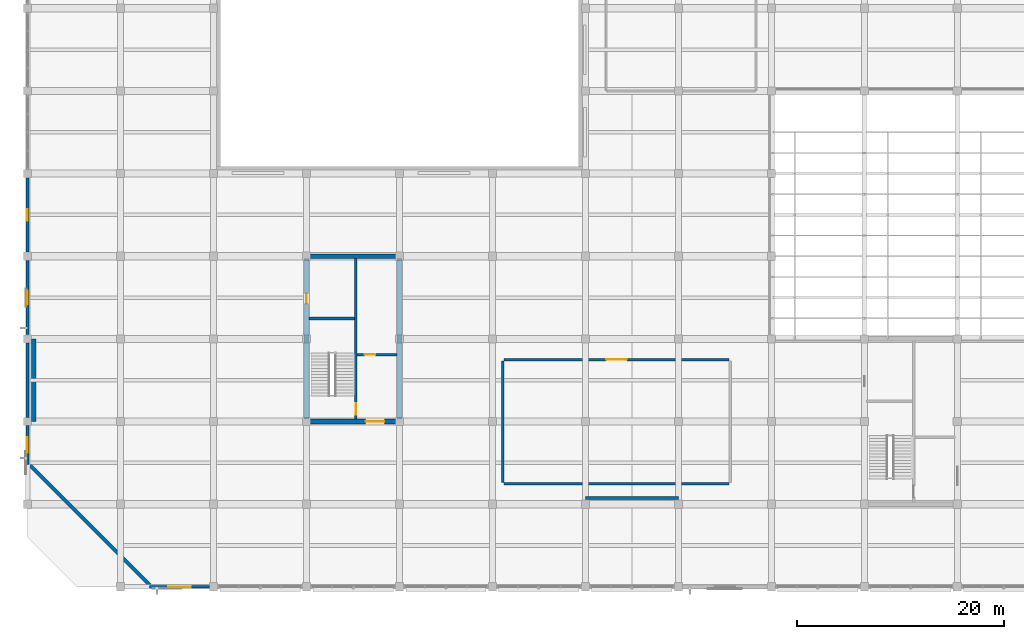
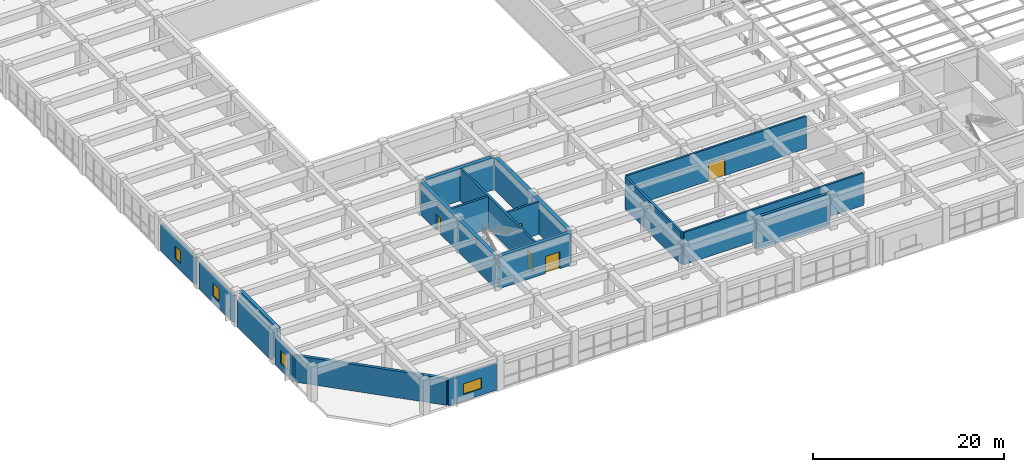
# One storey, part 25 of 50: 18 walls, 5 doors, 4 windows, 9 openings.
"""IFC4 building model written with IfcOpenShell, lengths in metres."""

from ifc_helpers import new_model, si_unit, direction, frame, frame_2d, origin, place, context, subcontext, project, spatial, rectangle, extrude, material, layer, layer_set, type_object, element, fill, save


model = new_model("IFC4")

# Units and contexts
model_context = context("Model", 3, precision=1e-05, world=origin(), true_north=direction((0.0, 1.0)))
body_context = subcontext(model_context, "Body", "Model", "MODEL_VIEW")
ifc_project = project(units=[si_unit("LENGTHUNIT", "METRE"), si_unit("AREAUNIT", "SQUARE_METRE"), si_unit("VOLUMEUNIT", "CUBIC_METRE"), si_unit("PLANEANGLEUNIT", "RADIAN"), si_unit("MASSUNIT", "GRAM", prefix="KILO")], contexts=[model_context])

# Site, building, storey
site_placement = place(None, origin())
site = spatial("IfcSite", under=ifc_project, at=site_placement, CompositionType="ELEMENT")
building_placement = place(site_placement, origin())
building = spatial("IfcBuilding", under=site, at=building_placement, Name="Zaverband Oceanarium and Marine Research Institute", CompositionType="ELEMENT")
storey_placement = place(building_placement, frame((0.0, 0.0, 9.0)))
storey = spatial("IfcBuildingStorey", under=building, at=storey_placement, Name="L02", CompositionType="ELEMENT", Elevation=9.0)

# Wall, opening, door
ifc_material_1 = material(Name="Concrete C50/60", Category="concrete")
ifc_layer_1 = layer(ifc_material_1, 0.449951171875, Name="Concrete C50/60")
ifc_layer_set_1 = layer_set([ifc_layer_1], Name="Concrete C50/60")
wall_type_1 = type_object("IfcWallType", Name="CW-02", PredefinedType="SHEAR", material=ifc_layer_set_1)
wall_1_placement = place(storey_placement, frame((27.22509765625, 16.0, 0.0), z_axis=(0.0, 0.0, 1.0), x_axis=(1.0, 0.0, 0.0)))
wall_1 = element("IfcWall", 1, at=wall_1_placement, inside=storey, type_object=wall_type_1, Name="Structural shear wall CW-02", PredefinedType="SHEAR", context=body_context, shape_type="SweptSolid", body=[
    extrude(rectangle(XDim=8.5498046875, YDim=0.449951171875, at=frame_2d((4.27490234375, 0.0))), origin(), (0.0, 0.0, 1.0), 4.139892578125),
])
opening_1_placement = place(wall_1_placement, frame((5.5, 0.0, 0.0)))
opening_1 = element("IfcOpeningElement", 2, at=opening_1_placement, cuts=wall_1, Name="Opening FD-02", PredefinedType="OPENING", context=body_context, shape_type="SweptSolid", body=[
    extrude(rectangle(XDim=1.800048828125, YDim=2.179931640625, at=frame_2d((0.89990234375, 1.08984375))), frame((0.0, 0.23681640625, 0.0), z_axis=(0.0, -1.0, 0.0), x_axis=(1.0, 0.0, 0.0)), (0.0, 0.0, 1.0), 0.473876953125),
])
ifc_material_2 = material(Name="Steel S355", Category="steel")
door_type_1 = type_object("IfcDoorType", Name="FD-02", OperationType="DOUBLE_DOOR_SINGLE_SWING", PredefinedType="DOOR", material=ifc_material_2)
door_1_placement = place(opening_1_placement, origin())
door_1 = element("IfcDoor", 3, at=door_1_placement, inside=storey, type_object=door_type_1, Name="Protected lobby double fire door FD-02", OperationType="DOUBLE_DOOR_SINGLE_SWING", OverallHeight=2.179931640625, OverallWidth=1.800048828125, PredefinedType="DOOR", context=body_context, shape_type="SweptSolid", body=[
    extrude(rectangle(XDim=1.800048828125, YDim=2.179931640625, at=frame_2d((0.89990234375, 1.08984375))), frame((0.0, 0.02490234375, 0.0), z_axis=(0.0, -1.0, 0.0), x_axis=(1.0, 0.0, 0.0)), (0.0, 0.0, 1.0), 0.050048828125),
])
fill(opening_1, door_1)

# Wall
wall_2_placement = place(storey_placement, frame((27.22509765625, 32.0, 0.0), z_axis=(0.0, 0.0, 1.0), x_axis=(1.0, 0.0, 0.0)))
element("IfcWall", 4, at=wall_2_placement, inside=storey, type_object=wall_type_1, Name="Structural shear wall CW-02", PredefinedType="SHEAR", context=body_context, shape_type="SweptSolid", body=[
    extrude(rectangle(XDim=8.5498046875, YDim=0.449951171875, at=frame_2d((4.27490234375, 0.0))), origin(), (0.0, 0.0, 1.0), 4.139892578125),
])

# Wall, opening, door
wall_3_placement = place(storey_placement, frame((27.0, 16.22509765625, 0.0), z_axis=(0.0, 0.0, 1.0), x_axis=(0.0, 1.0, 0.0)))
wall_3 = element("IfcWall", 5, at=wall_3_placement, inside=storey, type_object=wall_type_1, Name="Structural shear wall CW-02", PredefinedType="SHEAR", context=body_context, shape_type="SweptSolid", body=[
    extrude(rectangle(XDim=15.5498046875, YDim=0.449951171875, at=frame_2d((7.77490234375, 0.0))), origin(), (0.0, 0.0, 1.0), 4.139892578125),
])
opening_2_placement = place(wall_3_placement, frame((11.199951171875, 0.0, 0.0)))
opening_2 = element("IfcOpeningElement", 6, at=opening_2_placement, cuts=wall_3, Name="Opening FD-03", PredefinedType="OPENING", context=body_context, shape_type="SweptSolid", body=[
    extrude(rectangle(XDim=0.949951171875, YDim=2.10009765625, at=frame_2d((0.47509765625, 1.050048828125))), frame((0.0, 0.23681640625, 0.0), z_axis=(0.0, -1.0, 0.0), x_axis=(1.0, 0.0, 0.0)), (0.0, 0.0, 1.0), 0.473876953125),
])
door_type_2 = type_object("IfcDoorType", Name="FD-03", OperationType="NOTDEFINED", PredefinedType="DOOR", material=ifc_material_2)
door_2_placement = place(opening_2_placement, origin())
door_2 = element("IfcDoor", 7, at=door_2_placement, inside=storey, type_object=door_type_2, Name="Service riser access fire door FD-03", OperationType="SINGLE_SWING_RIGHT", OverallHeight=2.10009765625, OverallWidth=0.949951171875, PredefinedType="DOOR", context=body_context, shape_type="SweptSolid", body=[
    extrude(rectangle(XDim=0.949951171875, YDim=2.10009765625, at=frame_2d((0.47509765625, 1.050048828125))), frame((0.0, 0.02490234375, 0.0), z_axis=(0.0, -1.0, 0.0), x_axis=(1.0, 0.0, 0.0)), (0.0, 0.0, 1.0), 0.050048828125),
])
fill(opening_2, door_2)

# Wall
wall_4_placement = place(storey_placement, frame((36.0, 16.22509765625, 0.0), z_axis=(0.0, 0.0, 1.0), x_axis=(0.0, 1.0, 0.0)))
element("IfcWall", 8, at=wall_4_placement, inside=storey, type_object=wall_type_1, Name="Structural shear wall CW-02", PredefinedType="SHEAR", context=body_context, shape_type="SweptSolid", body=[
    extrude(rectangle(XDim=15.5498046875, YDim=0.449951171875, at=frame_2d((7.77490234375, 0.0))), origin(), (0.0, 0.0, 1.0), 4.139892578125),
])

# Wall, opening, window
ifc_material_3 = material(Name="Concrete C40/50 precast", Category="concrete")
ifc_layer_2 = layer(ifc_material_3, 0.264892578125, Name="Concrete C40/50 precast")
ifc_layer_set_2 = layer_set([ifc_layer_2], Name="Concrete C40/50 precast")
wall_type_2 = type_object("IfcWallType", Name="EW-265", PredefinedType="STANDARD", material=ifc_layer_set_2)
wall_5_placement = place(storey_placement, frame((11.820068359375, 0.0, 0.0), z_axis=(0.0, 0.0, 1.0), x_axis=(1.0, 0.0, 0.0)))
wall_5 = element("IfcWall", 9, at=wall_5_placement, inside=storey, type_object=wall_type_2, Name="Exterior infill wall EW-265", PredefinedType="STANDARD", context=body_context, shape_type="SweptSolid", body=[
    extrude(rectangle(XDim=5.77490234375, YDim=0.264892578125, at=frame_2d((2.887451171875, 0.0))), origin(), (0.0, 0.0, 1.0), 3.419921875),
])
opening_3_placement = place(wall_5_placement, frame((1.78759765625, 0.0, 0.85009765625)))
opening_3 = element("IfcOpeningElement", 10, at=opening_3_placement, cuts=wall_5, Name="Opening WN-2200x1350", PredefinedType="OPENING", context=body_context, shape_type="SweptSolid", body=[
    extrude(rectangle(XDim=2.199951171875, YDim=1.35009765625, at=frame_2d((1.10009765625, 0.675048828125))), frame((0.0, 0.14453125, 0.0), z_axis=(0.0, -1.0, 0.0), x_axis=(1.0, 0.0, 0.0)), (0.0, 0.0, 1.0), 0.288818359375),
])
ifc_material_4 = material(Name="Thermally broken anodized aluminium and solar-control glass", Category="aluminium")
window_type_1 = type_object("IfcWindowType", Name="WN-2200x1350", PartitioningType="SINGLE_PANEL", PredefinedType="WINDOW", material=ifc_material_4)
window_1_placement = place(opening_3_placement, origin())
window_1 = element("IfcWindow", 11, at=window_1_placement, inside=storey, type_object=window_type_1, Name="Fixed / casement exterior window WN-2200x1350", OverallHeight=1.35009765625, OverallWidth=2.199951171875, PartitioningType="SINGLE_PANEL", PredefinedType="WINDOW", context=body_context, shape_type="SweptSolid", body=[
    extrude(rectangle(XDim=2.199951171875, YDim=1.35009765625, at=frame_2d((1.10009765625, 0.675048828125))), frame((0.0, 0.030029296875, 0.0), z_axis=(0.0, -1.0, 0.0), x_axis=(1.0, 0.0, 0.0)), (0.0, 0.0, 1.0), 0.06005859375),
])
fill(opening_3, window_1)

wall_6_placement = place(storey_placement, frame((0.0, 24.405029296875, 0.0), z_axis=(0.0, 0.0, 1.0), x_axis=(0.0, 1.0, 0.0)))
wall_6 = element("IfcWall", 12, at=wall_6_placement, inside=storey, type_object=wall_type_2, Name="Exterior infill wall EW-265", PredefinedType="STANDARD", context=body_context, shape_type="SweptSolid", body=[
    extrude(rectangle(XDim=7.18994140625, YDim=0.264892578125, at=frame_2d((3.594970703125, 0.0))), origin(), (0.0, 0.0, 1.0), 3.419921875),
])
opening_4_placement = place(wall_6_placement, frame((2.945068359375, 0.0, 0.85009765625)))
opening_4 = element("IfcOpeningElement", 13, at=opening_4_placement, cuts=wall_6, Name="Opening WN-1300x1650", PredefinedType="OPENING", context=body_context, shape_type="SweptSolid", body=[
    extrude(rectangle(XDim=1.300048828125, YDim=1.64990234375, at=frame_2d((0.64990234375, 0.824951171875))), frame((0.0, 0.14453125, 0.0), z_axis=(0.0, -1.0, 0.0), x_axis=(1.0, 0.0, 0.0)), (0.0, 0.0, 1.0), 0.288818359375),
])
window_type_2 = type_object("IfcWindowType", Name="WN-1300x1650", PartitioningType="SINGLE_PANEL", PredefinedType="WINDOW", material=ifc_material_4)
window_2_placement = place(opening_4_placement, origin())
window_2 = element("IfcWindow", 14, at=window_2_placement, inside=storey, type_object=window_type_2, Name="Fixed / casement exterior window WN-1300x1650", OverallHeight=1.64990234375, OverallWidth=1.300048828125, PartitioningType="SINGLE_PANEL", PredefinedType="WINDOW", context=body_context, shape_type="SweptSolid", body=[
    extrude(rectangle(XDim=1.300048828125, YDim=1.64990234375, at=frame_2d((0.64990234375, 0.824951171875))), frame((0.0, 0.030029296875, 0.0), z_axis=(0.0, -1.0, 0.0), x_axis=(1.0, 0.0, 0.0)), (0.0, 0.0, 1.0), 0.06005859375),
])
fill(opening_4, window_2)

# Wall
ifc_layer_3 = layer(ifc_material_3, 0.2900390625, Name="Concrete C40/50 precast")
ifc_layer_set_3 = layer_set([ifc_layer_3], Name="Concrete C40/50 precast")
wall_type_3 = type_object("IfcWallType", Name="EW-290", PredefinedType="STANDARD", material=ifc_layer_set_3)
wall_7_placement = place(storey_placement, frame((0.0, 16.405029296875, 0.0), z_axis=(0.0, 0.0, 1.0), x_axis=(0.0, 1.0, 0.0)))
element("IfcWall", 15, at=wall_7_placement, inside=storey, type_object=wall_type_3, Name="Exterior infill wall EW-290", PredefinedType="STANDARD", context=body_context, shape_type="SweptSolid", body=[
    extrude(rectangle(XDim=7.18994140625, YDim=0.2900390625, at=frame_2d((3.594970703125, 0.0))), origin(), (0.0, 0.0, 1.0), 3.419921875),
])

# Wall, opening, window
ifc_layer_4 = layer(ifc_material_3, 0.31005859375, Name="Concrete C40/50 precast")
ifc_layer_set_4 = layer_set([ifc_layer_4], Name="Concrete C40/50 precast")
wall_type_4 = type_object("IfcWallType", Name="EW-310", PredefinedType="STANDARD", material=ifc_layer_set_4)
wall_8_placement = place(storey_placement, frame((0.0, 11.820068359375, 0.0), z_axis=(0.0, 0.0, 1.0), x_axis=(0.0, 1.0, 0.0)))
wall_8 = element("IfcWall", 16, at=wall_8_placement, inside=storey, type_object=wall_type_4, Name="Exterior infill wall EW-310", PredefinedType="STANDARD", context=body_context, shape_type="SweptSolid", body=[
    extrude(rectangle(XDim=3.77490234375, YDim=0.31005859375, at=frame_2d((1.887451171875, 0.0))), origin(), (0.0, 0.0, 1.0), 3.419921875),
])
opening_5_placement = place(wall_8_placement, frame((1.137451171875, 0.0, 0.85009765625)))
opening_5 = element("IfcOpeningElement", 17, at=opening_5_placement, cuts=wall_8, Name="Opening WN-1500x1650", PredefinedType="OPENING", context=body_context, shape_type="SweptSolid", body=[
    extrude(rectangle(XDim=1.5, YDim=1.64990234375, at=frame_2d((0.75, 0.824951171875))), frame((0.0, 0.1669921875, 0.0), z_axis=(0.0, -1.0, 0.0), x_axis=(1.0, 0.0, 0.0)), (0.0, 0.0, 1.0), 0.333984375),
])
window_type_3 = type_object("IfcWindowType", Name="WN-1500x1650", PartitioningType="SINGLE_PANEL", PredefinedType="WINDOW", material=ifc_material_4)
window_3_placement = place(opening_5_placement, origin())
window_3 = element("IfcWindow", 18, at=window_3_placement, inside=storey, type_object=window_type_3, Name="Fixed / casement exterior window WN-1500x1650", OverallHeight=1.64990234375, OverallWidth=1.5, PartitioningType="SINGLE_PANEL", PredefinedType="WINDOW", context=body_context, shape_type="SweptSolid", body=[
    extrude(rectangle(XDim=1.5, YDim=1.64990234375, at=frame_2d((0.75, 0.824951171875))), frame((0.0, 0.030029296875, 0.0), z_axis=(0.0, -1.0, 0.0), x_axis=(1.0, 0.0, 0.0)), (0.0, 0.0, 1.0), 0.06005859375),
])
fill(opening_5, window_3)

wall_9_placement = place(storey_placement, frame((0.0, 32.405029296875, 0.0), z_axis=(0.0, 0.0, 1.0), x_axis=(0.0, 1.0, 0.0)))
wall_9 = element("IfcWall", 19, at=wall_9_placement, inside=storey, type_object=wall_type_4, Name="Exterior infill wall EW-310", PredefinedType="STANDARD", context=body_context, shape_type="SweptSolid", body=[
    extrude(rectangle(XDim=7.18994140625, YDim=0.31005859375, at=frame_2d((3.594970703125, 0.0))), origin(), (0.0, 0.0, 1.0), 3.419921875),
])
opening_6_placement = place(wall_9_placement, frame((3.044921875, 0.0, 0.85009765625)))
opening_6 = element("IfcOpeningElement", 20, at=opening_6_placement, cuts=wall_9, Name="Opening WN-1100x1650", PredefinedType="OPENING", context=body_context, shape_type="SweptSolid", body=[
    extrude(rectangle(XDim=1.10009765625, YDim=1.64990234375, at=frame_2d((0.550048828125, 0.824951171875))), frame((0.0, 0.1669921875, 0.0), z_axis=(0.0, -1.0, 0.0), x_axis=(1.0, 0.0, 0.0)), (0.0, 0.0, 1.0), 0.333984375),
])
window_type_4 = type_object("IfcWindowType", Name="WN-1100x1650", PartitioningType="SINGLE_PANEL", PredefinedType="WINDOW", material=ifc_material_4)
window_4_placement = place(opening_6_placement, origin())
window_4 = element("IfcWindow", 21, at=window_4_placement, inside=storey, type_object=window_type_4, Name="Fixed / casement exterior window WN-1100x1650", OverallHeight=1.64990234375, OverallWidth=1.10009765625, PartitioningType="SINGLE_PANEL", PredefinedType="WINDOW", context=body_context, shape_type="SweptSolid", body=[
    extrude(rectangle(XDim=1.10009765625, YDim=1.64990234375, at=frame_2d((0.550048828125, 0.824951171875))), frame((0.0, 0.030029296875, 0.0), z_axis=(0.0, -1.0, 0.0), x_axis=(1.0, 0.0, 0.0)), (0.0, 0.0, 1.0), 0.06005859375),
])
fill(opening_6, window_4)

# Walls
ifc_layer_5 = layer(ifc_material_3, 0.340087890625, Name="Concrete C40/50 precast")
ifc_layer_set_5 = layer_set([ifc_layer_5], Name="Concrete C40/50 precast")
wall_type_5 = type_object("IfcWallType", Name="EW-340", PredefinedType="STANDARD", material=ifc_layer_set_5)
wall_10_placement = place(storey_placement, frame((0.179931640625, 11.820068359375, 0.0), z_axis=(0.0, 0.0, 1.0), x_axis=(0.707106781187, -0.707106781187, 0.0)))
element("IfcWall", 22, at=wall_10_placement, inside=storey, type_object=wall_type_5, Name="Exterior infill wall EW-340", PredefinedType="STANDARD", context=body_context, shape_type="SweptSolid", body=[
    extrude(rectangle(XDim=16.461669921875, YDim=0.340087890625, at=frame_2d((8.23095703125, 0.0))), origin(), (0.0, 0.0, 1.0), 3.419921875),
])
ifc_material_5 = material(Name="Masonry concrete blockwork", Category="masonry")
ifc_layer_6 = layer(ifc_material_5, 0.239990234375, Name="Masonry concrete blockwork")
ifc_layer_set_6 = layer_set([ifc_layer_6], Name="Masonry concrete blockwork")
wall_type_6 = type_object("IfcWallType", Name="PT-240-AC", PredefinedType="PARTITIONING", material=ifc_layer_set_6)
wall_11_placement = place(storey_placement, frame((46.1201171875, 10.0, 0.0), z_axis=(0.0, 0.0, 1.0), x_axis=(1.0, 0.0, 0.0)))
element("IfcWall", 23, at=wall_11_placement, inside=storey, type_object=wall_type_6, Name="Acoustic partition PT-240-AC", PredefinedType="PARTITIONING", context=body_context, shape_type="SweptSolid", body=[
    extrude(rectangle(XDim=21.759765625, YDim=0.239990234375, at=frame_2d((10.8798828125, 0.0))), origin(), (0.0, 0.0, 1.0), 4.139892578125),
])

# Wall, opening, door
wall_12_placement = place(storey_placement, frame((46.1201171875, 22.0, 0.0), z_axis=(0.0, 0.0, 1.0), x_axis=(1.0, 0.0, 0.0)))
wall_12 = element("IfcWall", 24, at=wall_12_placement, inside=storey, type_object=wall_type_6, Name="Acoustic partition PT-240-AC", PredefinedType="PARTITIONING", context=body_context, shape_type="SweptSolid", body=[
    extrude(rectangle(XDim=21.759765625, YDim=0.239990234375, at=frame_2d((10.8798828125, 0.0))), origin(), (0.0, 0.0, 1.0), 4.139892578125),
])
opening_7_placement = place(wall_12_placement, frame((9.8798828125, 0.0, 0.0)))
opening_7 = element("IfcOpeningElement", 25, at=opening_7_placement, cuts=wall_12, Name="Opening ID-2000x2180", PredefinedType="OPENING", context=body_context, shape_type="SweptSolid", body=[
    extrude(rectangle(XDim=2.0, YDim=2.179931640625, at=frame_2d((1.0, 1.08984375))), frame((0.0, 0.1318359375, 0.0), z_axis=(0.0, -1.0, 0.0), x_axis=(1.0, 0.0, 0.0)), (0.0, 0.0, 1.0), 0.263916015625),
])
ifc_material_6 = material(Name="Hardwood-veneered acoustic timber", Category="wood")
door_type_3 = type_object("IfcDoorType", Name="ID-2000x2180", OperationType="DOUBLE_DOOR_SINGLE_SWING", PredefinedType="DOOR", material=ifc_material_6)
door_3_placement = place(opening_7_placement, origin())
door_3 = element("IfcDoor", 26, at=door_3_placement, inside=storey, type_object=door_type_3, Name="Auditorium acoustic double door ID-2000x2180", OperationType="DOUBLE_DOOR_SINGLE_SWING", OverallHeight=2.179931640625, OverallWidth=2.0, PredefinedType="DOOR", context=body_context, shape_type="SweptSolid", body=[
    extrude(rectangle(XDim=2.0, YDim=2.179931640625, at=frame_2d((1.0, 1.08984375))), frame((0.0, 0.02490234375, 0.0), z_axis=(0.0, -1.0, 0.0), x_axis=(1.0, 0.0, 0.0)), (0.0, 0.0, 1.0), 0.050048828125),
])
fill(opening_7, door_3)

# Wall
wall_13_placement = place(storey_placement, frame((46.0, 10.1201171875, 0.0), z_axis=(0.0, 0.0, 1.0), x_axis=(0.0, 1.0, 0.0)))
element("IfcWall", 27, at=wall_13_placement, inside=storey, type_object=wall_type_6, Name="Acoustic partition PT-240-AC", PredefinedType="PARTITIONING", context=body_context, shape_type="SweptSolid", body=[
    extrude(rectangle(XDim=11.759765625, YDim=0.239990234375, at=frame_2d((5.8798828125, 0.0))), origin(), (0.0, 0.0, 1.0), 4.139892578125),
])

# Wall, opening, door
ifc_layer_7 = layer(ifc_material_1, 0.25, Name="Concrete C50/60")
ifc_layer_set_7 = layer_set([ifc_layer_7], Name="Concrete C50/60")
wall_type_7 = type_object("IfcWallType", Name="PW-CORE-250", PredefinedType="SOLIDWALL", material=ifc_layer_set_7)
wall_14_placement = place(storey_placement, frame((31.77490234375, 16.22509765625, 0.0), z_axis=(0.0, 0.0, 1.0), x_axis=(0.0, 1.0, 0.0)))
wall_14 = element("IfcWall", 28, at=wall_14_placement, inside=storey, type_object=wall_type_7, Name="Structural concrete wall PW-CORE-250", PredefinedType="SOLIDWALL", context=body_context, shape_type="SweptSolid", body=[
    extrude(rectangle(XDim=15.5498046875, YDim=0.25, at=frame_2d((7.77490234375, 0.0))), origin(), (0.0, 0.0, 1.0), 4.139892578125),
])
opening_8_placement = place(wall_14_placement, frame((0.449951171875, 0.0, 0.0)))
opening_8 = element("IfcOpeningElement", 29, at=opening_8_placement, cuts=wall_14, Name="Opening FD-01", PredefinedType="OPENING", context=body_context, shape_type="SweptSolid", body=[
    extrude(rectangle(XDim=1.10009765625, YDim=2.14990234375, at=frame_2d((0.550048828125, 1.074951171875))), frame((0.0, 0.136962890625, 0.0), z_axis=(0.0, -1.0, 0.0), x_axis=(1.0, 0.0, 0.0)), (0.0, 0.0, 1.0), 0.27392578125),
])
door_type_4 = type_object("IfcDoorType", Name="FD-01", OperationType="NOTDEFINED", PredefinedType="DOOR", material=ifc_material_2)
door_4_placement = place(opening_8_placement, origin())
door_4 = element("IfcDoor", 30, at=door_4_placement, inside=storey, type_object=door_type_4, Name="Core stair / lobby fire door FD-01", OperationType="SINGLE_SWING_LEFT", OverallHeight=2.14990234375, OverallWidth=1.10009765625, PredefinedType="DOOR", context=body_context, shape_type="SweptSolid", body=[
    extrude(rectangle(XDim=1.10009765625, YDim=2.14990234375, at=frame_2d((0.550048828125, 1.074951171875))), frame((0.0, 0.02490234375, 0.0), z_axis=(0.0, -1.0, 0.0), x_axis=(1.0, 0.0, 0.0)), (0.0, 0.0, 1.0), 0.050048828125),
])
fill(opening_8, door_4)

# Wall
wall_15_placement = place(storey_placement, frame((27.22509765625, 25.97509765625, 0.0), z_axis=(0.0, 0.0, 1.0), x_axis=(1.0, 0.0, 0.0)))
element("IfcWall", 31, at=wall_15_placement, inside=storey, type_object=wall_type_7, Name="Structural concrete wall PW-CORE-250", PredefinedType="SOLIDWALL", context=body_context, shape_type="SweptSolid", body=[
    extrude(rectangle(XDim=4.419921875, YDim=0.25, at=frame_2d((2.2099609375, 0.0))), origin(), (0.0, 0.0, 1.0), 4.139892578125),
])

# Wall, opening, door
wall_16_placement = place(storey_placement, frame((31.905029296875, 22.47509765625, 0.0), z_axis=(0.0, 0.0, 1.0), x_axis=(1.0, 0.0, 0.0)))
wall_16 = element("IfcWall", 32, at=wall_16_placement, inside=storey, type_object=wall_type_7, Name="Structural concrete wall PW-CORE-250", PredefinedType="SOLIDWALL", context=body_context, shape_type="SweptSolid", body=[
    extrude(rectangle(XDim=3.869873046875, YDim=0.25, at=frame_2d((1.93505859375, 0.0))), origin(), (0.0, 0.0, 1.0), 4.139892578125),
])
opening_9_placement = place(wall_16_placement, frame((0.719970703125, 0.0, 0.0)))
opening_9 = element("IfcOpeningElement", 33, at=opening_9_placement, cuts=wall_16, Name="Opening LD-02", PredefinedType="OPENING", context=body_context, shape_type="SweptSolid", body=[
    extrude(rectangle(XDim=1.050048828125, YDim=2.1201171875, at=frame_2d((0.52490234375, 1.06005859375))), frame((0.0, 0.136962890625, 0.0), z_axis=(0.0, -1.0, 0.0), x_axis=(1.0, 0.0, 0.0)), (0.0, 0.0, 1.0), 0.27392578125),
])
door_type_5 = type_object("IfcDoorType", Name="LD-02", OperationType="DOUBLE_DOOR_SLIDING", PredefinedType="DOOR", material=ifc_material_2)
door_5_placement = place(opening_9_placement, origin())
door_5 = element("IfcDoor", 34, at=door_5_placement, inside=storey, type_object=door_type_5, Name="Passenger lift sliding landing door LD-02", OperationType="DOUBLE_DOOR_SLIDING", OverallHeight=2.1201171875, OverallWidth=1.050048828125, PredefinedType="DOOR", context=body_context, shape_type="SweptSolid", body=[
    extrude(rectangle(XDim=1.050048828125, YDim=2.1201171875, at=frame_2d((0.52490234375, 1.06005859375))), frame((0.0, 0.02490234375, 0.0), z_axis=(0.0, -1.0, 0.0), x_axis=(1.0, 0.0, 0.0)), (0.0, 0.0, 1.0), 0.050048828125),
])
fill(opening_9, door_5)

# Walls
ifc_material_7 = material(Name="Concrete C40/50", Category="concrete")
ifc_layer_8 = layer(ifc_material_7, 0.320068359375, Name="Concrete C40/50")
ifc_layer_set_8 = layer_set([ifc_layer_8], Name="Concrete C40/50")
wall_type_8 = type_object("IfcWallType", Name="SCW-02", PredefinedType="SOLIDWALL", material=ifc_layer_set_8)
wall_17_placement = place(storey_placement, frame((54.0, 8.60009765625, 0.0), z_axis=(0.0, 0.0, 1.0), x_axis=(1.0, 0.0, 0.0)))
element("IfcWall", 35, at=wall_17_placement, inside=storey, type_object=wall_type_8, Name="Structural concrete wall SCW-02", PredefinedType="SOLIDWALL", context=body_context, shape_type="SweptSolid", body=[
    extrude(rectangle(XDim=9.0, YDim=0.320068359375, at=frame_2d((4.5, 0.0))), origin(), (0.0, 0.0, 1.0), 4.139892578125),
])
ifc_layer_9 = layer(ifc_material_1, 0.419921875, Name="Concrete C50/60")
ifc_layer_set_9 = layer_set([ifc_layer_9], Name="Concrete C50/60")
wall_type_9 = type_object("IfcWallType", Name="SW-01", PredefinedType="SHEAR", material=ifc_layer_set_9)
wall_18_placement = place(storey_placement, frame((0.60009765625, 16.0, 0.0), z_axis=(0.0, 0.0, 1.0), x_axis=(0.0, 1.0, 0.0)))
element("IfcWall", 36, at=wall_18_placement, inside=storey, type_object=wall_type_9, Name="Structural shear wall SW-01", PredefinedType="SHEAR", context=body_context, shape_type="SweptSolid", body=[
    extrude(rectangle(XDim=8.0, YDim=0.419921875, at=frame_2d((4.0, 0.0))), origin(), (0.0, 0.0, 1.0), 4.139892578125),
])

save(model, "model.ifc")
